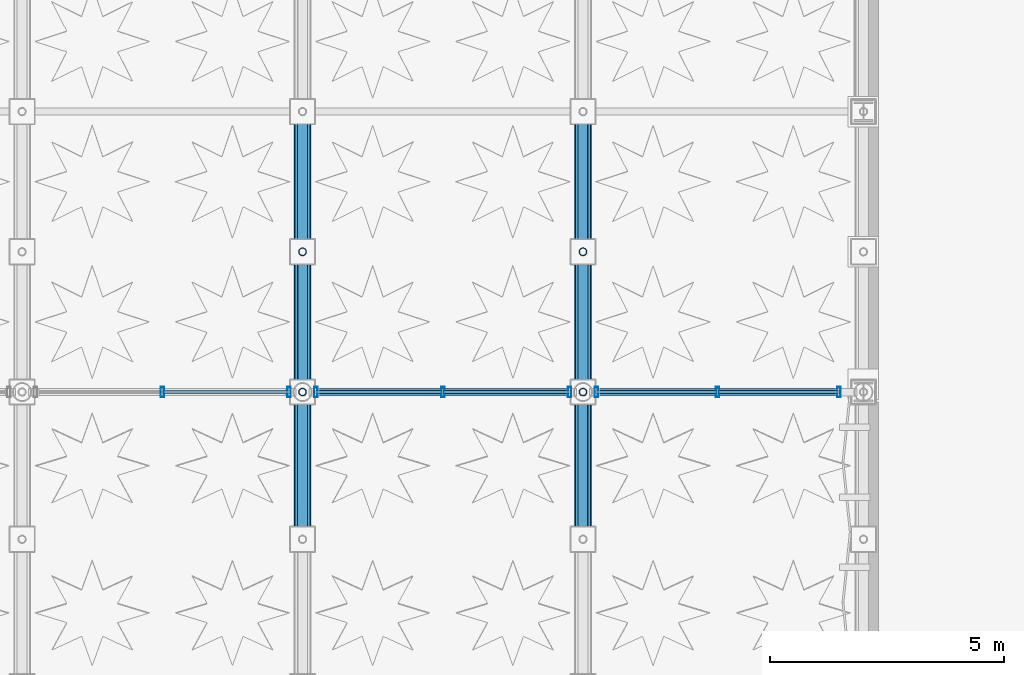
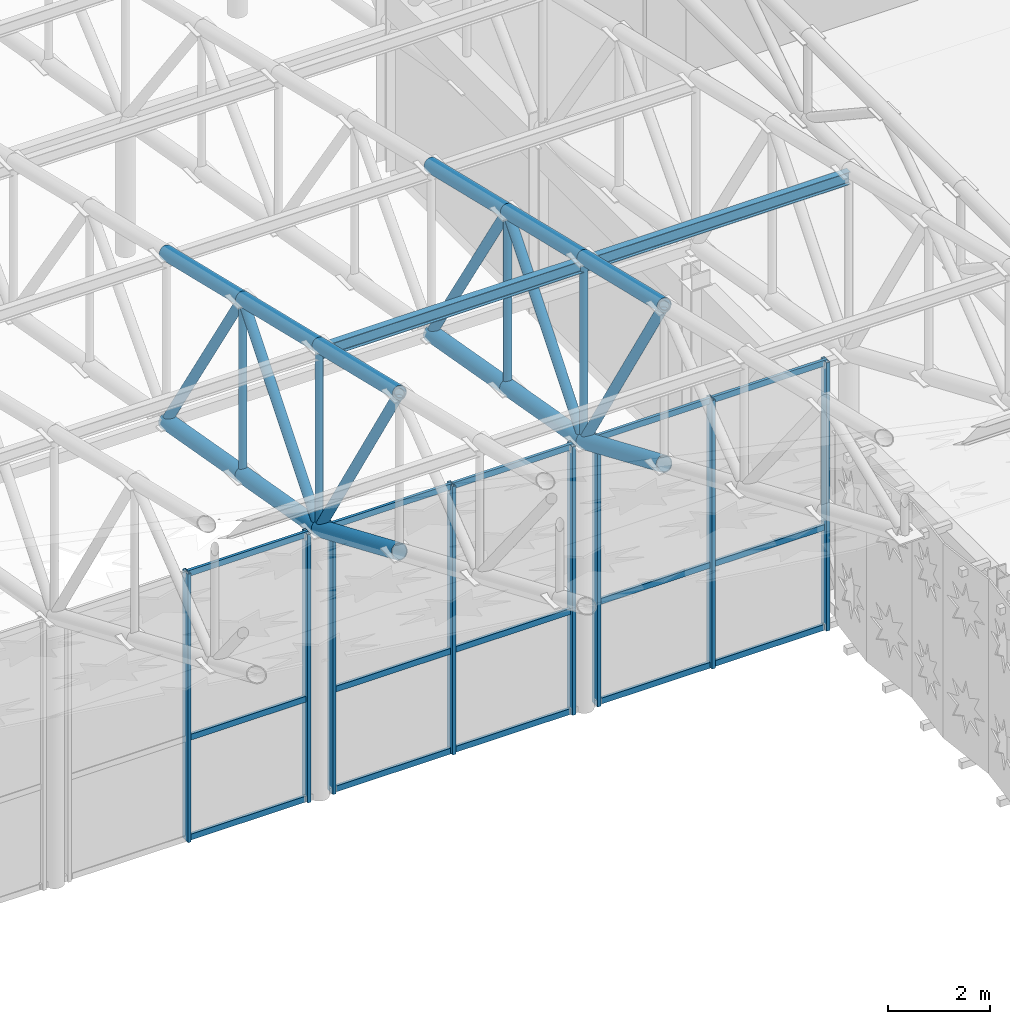
# One storey, part 20 of 123: 45 members, 2 beams, 3 elements without a shape of their own.
"""IFC4 building model written with IfcOpenShell, lengths in metres."""

from ifc_helpers import new_model, si_unit, direction, frame, origin, origin_2d, place, context, subcontext, project, spatial, hollow_rectangle, hollow_circle, i_section, extrude, material, material_profile, profile_set, type_object, element, aggregate, save


model = new_model("IFC4")

# Units and contexts
model_context = context("Model", 3, precision=1e-05, world=origin(), true_north=direction((0.0, 1.0)))
body_context = subcontext(model_context, "Body", "Model", "MODEL_VIEW")
ifc_project = project(units=[si_unit("LENGTHUNIT", "METRE"), si_unit("AREAUNIT", "SQUARE_METRE"), si_unit("VOLUMEUNIT", "CUBIC_METRE"), si_unit("PLANEANGLEUNIT", "RADIAN"), si_unit("MASSUNIT", "GRAM", prefix="KILO"), si_unit("THERMODYNAMICTEMPERATUREUNIT", "KELVIN"), si_unit("POWERUNIT", "WATT")], contexts=[model_context])

# Site, building, storey
site_placement = place(None, origin())
site = spatial("IfcSite", under=ifc_project, at=site_placement, CompositionType="ELEMENT")
building_placement = place(site_placement, origin())
building = spatial("IfcBuilding", under=site, at=building_placement, Name="Phaisarnlok Congress Hotel", CompositionType="ELEMENT")
storey_placement = place(building_placement, frame((0.0, 0.0, 15.0)))
storey = spatial("IfcBuildingStorey", under=building, at=storey_placement, Name="L03", CompositionType="ELEMENT", Elevation=15.0)

# Curtain wall, members
ifc_material_1 = material(Name="Thermally Broken Unitised Aluminium & Low-E Glazing", Category="aluminium")
curtain_wall_type_1 = type_object("IfcCurtainWallType", Name="CW-UNIT-45", PredefinedType="NOTDEFINED", material=ifc_material_1)
curtain_wall_1_placement = place(storey_placement, origin())
curtain_wall_1 = element("IfcCurtainWall", 1, at=curtain_wall_1_placement, inside=storey, type_object=curtain_wall_type_1, Name="Unitised curtain wall CW-45 (L03)", PredefinedType="NOTDEFINED")
ifc_material_2 = material(Name="Anodised Aluminium Alloy 6063-T6", Category="aluminium")
ifc_material_profile_1 = material_profile(ifc_material_2, hollow_rectangle(XDim=0.074951171875, YDim=0.219970703125, WallThickness=0.0048828125, at=origin_2d()), Name="ALU-M 75x220x5")
ifc_profile_set_1 = profile_set([ifc_material_profile_1], Name="Anodised Aluminium Alloy 6063-T6")
member_type_1 = type_object("IfcMemberType", Name="CWM-220", PredefinedType="MULLION", material=ifc_profile_set_1)
member_1_placement = place(storey_placement, frame((81.0, 18.0, -0.010009765625), z_axis=(0.0, 0.0, 1.0), x_axis=(1.0, 0.0, 0.0)))
member_1 = element("IfcMember", 2, at=member_1_placement, type_object=member_type_1, Name="Curtain wall mullion CWM-02", PredefinedType="MULLION", context=body_context, shape_type="SweptSolid", body=[
    extrude(hollow_rectangle(XDim=0.074951171875, YDim=0.219970703125, WallThickness=0.0048828125, at=origin_2d()), origin(), (0.0, 0.0, 1.0), 6.429931640625),
])
member_2_placement = place(storey_placement, frame((83.715087890625, 18.0, -0.010009765625), z_axis=(0.0, 0.0, 1.0), x_axis=(1.0, 0.0, 0.0)))
member_2 = element("IfcMember", 3, at=member_2_placement, type_object=member_type_1, Name="Curtain wall mullion CWM-02", PredefinedType="MULLION", context=body_context, shape_type="SweptSolid", body=[
    extrude(hollow_rectangle(XDim=0.074951171875, YDim=0.219970703125, WallThickness=0.0048828125, at=origin_2d()), origin(), (0.0, 0.0, 1.0), 6.429931640625),
])

curtain_wall_2_placement = place(storey_placement, origin())
curtain_wall_2 = element("IfcCurtainWall", 4, at=curtain_wall_2_placement, inside=storey, type_object=curtain_wall_type_1, Name="Unitised curtain wall CW-45 (L03)", PredefinedType="NOTDEFINED")
member_3_placement = place(storey_placement, frame((84.284912109375, 18.0, -0.010009765625), z_axis=(0.0, 0.0, 1.0), x_axis=(1.0, 0.0, 0.0)))
member_3 = element("IfcMember", 5, at=member_3_placement, type_object=member_type_1, Name="Curtain wall mullion CWM-02", PredefinedType="MULLION", context=body_context, shape_type="SweptSolid", body=[
    extrude(hollow_rectangle(XDim=0.074951171875, YDim=0.219970703125, WallThickness=0.0048828125, at=origin_2d()), origin(), (0.0, 0.0, 1.0), 6.429931640625),
])
member_4_placement = place(storey_placement, frame((87.0, 18.0, -0.010009765625), z_axis=(0.0, 0.0, 1.0), x_axis=(1.0, 0.0, 0.0)))
member_4 = element("IfcMember", 6, at=member_4_placement, type_object=member_type_1, Name="Curtain wall mullion CWM-02", PredefinedType="MULLION", context=body_context, shape_type="SweptSolid", body=[
    extrude(hollow_rectangle(XDim=0.074951171875, YDim=0.219970703125, WallThickness=0.0048828125, at=origin_2d()), origin(), (0.0, 0.0, 1.0), 6.429931640625),
])
member_5_placement = place(storey_placement, frame((89.715087890625, 18.0, -0.010009765625), z_axis=(0.0, 0.0, 1.0), x_axis=(1.0, 0.0, 0.0)))
member_5 = element("IfcMember", 7, at=member_5_placement, type_object=member_type_1, Name="Curtain wall mullion CWM-02", PredefinedType="MULLION", context=body_context, shape_type="SweptSolid", body=[
    extrude(hollow_rectangle(XDim=0.074951171875, YDim=0.219970703125, WallThickness=0.0048828125, at=origin_2d()), origin(), (0.0, 0.0, 1.0), 6.429931640625),
])

curtain_wall_type_2 = type_object("IfcCurtainWallType", Name="CW-UNIT-42", PredefinedType="NOTDEFINED", material=ifc_material_1)
curtain_wall_3_placement = place(storey_placement, origin())
curtain_wall_3 = element("IfcCurtainWall", 8, at=curtain_wall_3_placement, inside=storey, type_object=curtain_wall_type_2, Name="Unitised curtain wall CW-42 (L03)", PredefinedType="NOTDEFINED")
member_6_placement = place(storey_placement, frame((90.284912109375, 18.0, -0.010009765625), z_axis=(0.0, 0.0, 1.0), x_axis=(1.0, 0.0, 0.0)))
member_6 = element("IfcMember", 9, at=member_6_placement, type_object=member_type_1, Name="Curtain wall mullion CWM-02", PredefinedType="MULLION", context=body_context, shape_type="SweptSolid", body=[
    extrude(hollow_rectangle(XDim=0.074951171875, YDim=0.219970703125, WallThickness=0.0048828125, at=origin_2d()), origin(), (0.0, 0.0, 1.0), 6.429931640625),
])
member_7_placement = place(storey_placement, frame((92.8798828125, 18.0, -0.010009765625), z_axis=(0.0, 0.0, 1.0), x_axis=(1.0, 0.0, 0.0)))
member_7 = element("IfcMember", 10, at=member_7_placement, type_object=member_type_1, Name="Curtain wall mullion CWM-02", PredefinedType="MULLION", context=body_context, shape_type="SweptSolid", body=[
    extrude(hollow_rectangle(XDim=0.074951171875, YDim=0.219970703125, WallThickness=0.0048828125, at=origin_2d()), origin(), (0.0, 0.0, 1.0), 6.429931640625),
])
member_8_placement = place(storey_placement, frame((95.47509765625, 18.0, -0.010009765625), z_axis=(0.0, 0.0, 1.0), x_axis=(1.0, 0.0, 0.0)))
member_8 = element("IfcMember", 11, at=member_8_placement, type_object=member_type_1, Name="Curtain wall mullion CWM-02", PredefinedType="MULLION", context=body_context, shape_type="SweptSolid", body=[
    extrude(hollow_rectangle(XDim=0.074951171875, YDim=0.219970703125, WallThickness=0.0048828125, at=origin_2d()), origin(), (0.0, 0.0, 1.0), 6.429931640625),
])

# Member
ifc_material_profile_2 = material_profile(ifc_material_2, hollow_rectangle(XDim=0.06494140625, YDim=0.139892578125, WallThickness=0.00390625, at=origin_2d()), Name="ALU-T 65x140x4")
ifc_profile_set_2 = profile_set([ifc_material_profile_2], Name="Anodised Aluminium Alloy 6063-T6")
member_type_2 = type_object("IfcMemberType", Name="CWT-150", PredefinedType="USERDEFINED", material=ifc_profile_set_2)
member_9_placement = place(storey_placement, frame((81.014892578125, 18.0, 0.0400390625), z_axis=(1.0, 0.0, 0.0), x_axis=(0.0, 1.0, 0.0)))
member_9 = element("IfcMember", 12, at=member_9_placement, type_object=member_type_2, Name="Curtain wall transom CWT-01", ObjectType="TRANSOM", PredefinedType="USERDEFINED", context=body_context, shape_type="SweptSolid", body=[
    extrude(hollow_rectangle(XDim=0.06494140625, YDim=0.139892578125, WallThickness=0.00390625, at=origin_2d()), origin(), (0.0, 0.0, 1.0), 2.72509765625),
])

member_10_placement = place(storey_placement, frame((81.014892578125, 18.0, 2.433349609375), z_axis=(1.0, 0.0, 0.0), x_axis=(0.0, 1.0, 0.0)))
member_10 = element("IfcMember", 13, at=member_10_placement, type_object=member_type_2, Name="Curtain wall transom CWT-01", ObjectType="TRANSOM", PredefinedType="USERDEFINED", context=body_context, shape_type="SweptSolid", body=[
    extrude(hollow_rectangle(XDim=0.06494140625, YDim=0.139892578125, WallThickness=0.00390625, at=origin_2d()), origin(), (0.0, 0.0, 1.0), 2.72509765625),
])

member_11_placement = place(storey_placement, frame((81.014892578125, 18.0, 6.3701171875), z_axis=(1.0, 0.0, 0.0), x_axis=(0.0, 1.0, 0.0)))
member_11 = element("IfcMember", 14, at=member_11_placement, type_object=member_type_2, Name="Curtain wall transom CWT-01", ObjectType="TRANSOM", PredefinedType="USERDEFINED", context=body_context, shape_type="SweptSolid", body=[
    extrude(hollow_rectangle(XDim=0.06494140625, YDim=0.139892578125, WallThickness=0.00390625, at=origin_2d()), origin(), (0.0, 0.0, 1.0), 2.72509765625),
])

aggregate(curtain_wall_1, [member_1, member_2, member_9, member_10, member_11])

member_12_placement = place(storey_placement, frame((84.260009765625, 18.0, 0.0400390625), z_axis=(1.0, 0.0, 0.0), x_axis=(0.0, 1.0, 0.0)))
member_12 = element("IfcMember", 15, at=member_12_placement, type_object=member_type_2, Name="Curtain wall transom CWT-01", ObjectType="TRANSOM", PredefinedType="USERDEFINED", context=body_context, shape_type="SweptSolid", body=[
    extrude(hollow_rectangle(XDim=0.06494140625, YDim=0.139892578125, WallThickness=0.00390625, at=origin_2d()), origin(), (0.0, 0.0, 1.0), 2.72509765625),
])

member_13_placement = place(storey_placement, frame((84.260009765625, 18.0, 2.433349609375), z_axis=(1.0, 0.0, 0.0), x_axis=(0.0, 1.0, 0.0)))
member_13 = element("IfcMember", 16, at=member_13_placement, type_object=member_type_2, Name="Curtain wall transom CWT-01", ObjectType="TRANSOM", PredefinedType="USERDEFINED", context=body_context, shape_type="SweptSolid", body=[
    extrude(hollow_rectangle(XDim=0.06494140625, YDim=0.139892578125, WallThickness=0.00390625, at=origin_2d()), origin(), (0.0, 0.0, 1.0), 2.72509765625),
])

member_14_placement = place(storey_placement, frame((84.260009765625, 18.0, 6.3701171875), z_axis=(1.0, 0.0, 0.0), x_axis=(0.0, 1.0, 0.0)))
member_14 = element("IfcMember", 17, at=member_14_placement, type_object=member_type_2, Name="Curtain wall transom CWT-01", ObjectType="TRANSOM", PredefinedType="USERDEFINED", context=body_context, shape_type="SweptSolid", body=[
    extrude(hollow_rectangle(XDim=0.06494140625, YDim=0.139892578125, WallThickness=0.00390625, at=origin_2d()), origin(), (0.0, 0.0, 1.0), 2.72509765625),
])

member_15_placement = place(storey_placement, frame((87.014892578125, 18.0, 0.0400390625), z_axis=(1.0, 0.0, 0.0), x_axis=(0.0, 1.0, 0.0)))
member_15 = element("IfcMember", 18, at=member_15_placement, type_object=member_type_2, Name="Curtain wall transom CWT-01", ObjectType="TRANSOM", PredefinedType="USERDEFINED", context=body_context, shape_type="SweptSolid", body=[
    extrude(hollow_rectangle(XDim=0.06494140625, YDim=0.139892578125, WallThickness=0.00390625, at=origin_2d()), origin(), (0.0, 0.0, 1.0), 2.72509765625),
])

member_16_placement = place(storey_placement, frame((87.014892578125, 18.0, 2.433349609375), z_axis=(1.0, 0.0, 0.0), x_axis=(0.0, 1.0, 0.0)))
member_16 = element("IfcMember", 19, at=member_16_placement, type_object=member_type_2, Name="Curtain wall transom CWT-01", ObjectType="TRANSOM", PredefinedType="USERDEFINED", context=body_context, shape_type="SweptSolid", body=[
    extrude(hollow_rectangle(XDim=0.06494140625, YDim=0.139892578125, WallThickness=0.00390625, at=origin_2d()), origin(), (0.0, 0.0, 1.0), 2.72509765625),
])

member_17_placement = place(storey_placement, frame((87.014892578125, 18.0, 6.3701171875), z_axis=(1.0, 0.0, 0.0), x_axis=(0.0, 1.0, 0.0)))
member_17 = element("IfcMember", 20, at=member_17_placement, type_object=member_type_2, Name="Curtain wall transom CWT-01", ObjectType="TRANSOM", PredefinedType="USERDEFINED", context=body_context, shape_type="SweptSolid", body=[
    extrude(hollow_rectangle(XDim=0.06494140625, YDim=0.139892578125, WallThickness=0.00390625, at=origin_2d()), origin(), (0.0, 0.0, 1.0), 2.72509765625),
])

aggregate(curtain_wall_2, [member_3, member_4, member_5, member_12, member_13, member_14, member_15, member_16, member_17])

member_18_placement = place(storey_placement, frame((90.260009765625, 18.0, 0.0400390625), z_axis=(1.0, 0.0, 0.0), x_axis=(0.0, 1.0, 0.0)))
member_18 = element("IfcMember", 21, at=member_18_placement, type_object=member_type_2, Name="Curtain wall transom CWT-01", ObjectType="TRANSOM", PredefinedType="USERDEFINED", context=body_context, shape_type="SweptSolid", body=[
    extrude(hollow_rectangle(XDim=0.06494140625, YDim=0.139892578125, WallThickness=0.00390625, at=origin_2d()), origin(), (0.0, 0.0, 1.0), 2.60498046875),
])

member_19_placement = place(storey_placement, frame((90.260009765625, 18.0, 2.433349609375), z_axis=(1.0, 0.0, 0.0), x_axis=(0.0, 1.0, 0.0)))
member_19 = element("IfcMember", 22, at=member_19_placement, type_object=member_type_2, Name="Curtain wall transom CWT-01", ObjectType="TRANSOM", PredefinedType="USERDEFINED", context=body_context, shape_type="SweptSolid", body=[
    extrude(hollow_rectangle(XDim=0.06494140625, YDim=0.139892578125, WallThickness=0.00390625, at=origin_2d()), origin(), (0.0, 0.0, 1.0), 2.60498046875),
])

member_20_placement = place(storey_placement, frame((90.260009765625, 18.0, 6.3701171875), z_axis=(1.0, 0.0, 0.0), x_axis=(0.0, 1.0, 0.0)))
member_20 = element("IfcMember", 23, at=member_20_placement, type_object=member_type_2, Name="Curtain wall transom CWT-01", ObjectType="TRANSOM", PredefinedType="USERDEFINED", context=body_context, shape_type="SweptSolid", body=[
    extrude(hollow_rectangle(XDim=0.06494140625, YDim=0.139892578125, WallThickness=0.00390625, at=origin_2d()), origin(), (0.0, 0.0, 1.0), 2.60498046875),
])

member_21_placement = place(storey_placement, frame((92.89501953125, 18.0, 0.0400390625), z_axis=(1.0, 0.0, 0.0), x_axis=(0.0, 1.0, 0.0)))
member_21 = element("IfcMember", 24, at=member_21_placement, type_object=member_type_2, Name="Curtain wall transom CWT-01", ObjectType="TRANSOM", PredefinedType="USERDEFINED", context=body_context, shape_type="SweptSolid", body=[
    extrude(hollow_rectangle(XDim=0.06494140625, YDim=0.139892578125, WallThickness=0.00390625, at=origin_2d()), origin(), (0.0, 0.0, 1.0), 2.60498046875),
])

member_22_placement = place(storey_placement, frame((92.89501953125, 18.0, 2.433349609375), z_axis=(1.0, 0.0, 0.0), x_axis=(0.0, 1.0, 0.0)))
member_22 = element("IfcMember", 25, at=member_22_placement, type_object=member_type_2, Name="Curtain wall transom CWT-01", ObjectType="TRANSOM", PredefinedType="USERDEFINED", context=body_context, shape_type="SweptSolid", body=[
    extrude(hollow_rectangle(XDim=0.06494140625, YDim=0.139892578125, WallThickness=0.00390625, at=origin_2d()), origin(), (0.0, 0.0, 1.0), 2.60498046875),
])

member_23_placement = place(storey_placement, frame((92.89501953125, 18.0, 6.3701171875), z_axis=(1.0, 0.0, 0.0), x_axis=(0.0, 1.0, 0.0)))
member_23 = element("IfcMember", 26, at=member_23_placement, type_object=member_type_2, Name="Curtain wall transom CWT-01", ObjectType="TRANSOM", PredefinedType="USERDEFINED", context=body_context, shape_type="SweptSolid", body=[
    extrude(hollow_rectangle(XDim=0.06494140625, YDim=0.139892578125, WallThickness=0.00390625, at=origin_2d()), origin(), (0.0, 0.0, 1.0), 2.60498046875),
])

aggregate(curtain_wall_3, [member_6, member_7, member_8, member_18, member_19, member_20, member_21, member_22, member_23])

# Beams
ifc_material_3 = material(Name="Steel S355", Category="steel")
ifc_material_profile_3 = material_profile(ifc_material_3, i_section(OverallWidth=0.14990234375, OverallDepth=0.300048828125, WebThickness=0.007080078125, FlangeThickness=0.0107421875, FilletRadius=0.014892578125, at=origin_2d()), Name="IPE 300")
ifc_profile_set_3 = profile_set([ifc_material_profile_3], Name="Steel S355")
beam_type = type_object("IfcBeamType", Name="JS-STL-IPE300", PredefinedType="JOIST", material=ifc_profile_set_3)
for number, where, z_axis, x_axis, name in (
    (27, (84.0, 18.0, 10.630615234375), (1.0, 0.0, 0.0), (0.0, 1.0, 0.0), "South wing roof purlin"),
    (28, (90.0, 18.0, 10.630615234375), (1.0, 0.0, 0.0), (0.0, 1.0, 0.0), "South wing roof purlin"),
):
    element("IfcBeam", number, at=place(storey_placement, frame(where, z_axis=z_axis, x_axis=x_axis)), inside=storey, type_object=beam_type, Name=name, PredefinedType="JOIST", context=body_context, shape_type="SweptSolid", body=[
        extrude(i_section(OverallWidth=0.14990234375, OverallDepth=0.300048828125, WebThickness=0.007080078125, FlangeThickness=0.0107421875, FilletRadius=0.014892578125, at=origin_2d()), origin(), (0.0, 0.0, 1.0), 6.0),
    ])

# Members
ifc_material_profile_4 = material_profile(ifc_material_3, hollow_circle(Radius=0.084228515625, WallThickness=0.010009765625, at=origin_2d()), Name="CHS 168.3x10")
ifc_profile_set_4 = profile_set([ifc_material_profile_4], Name="Steel S355")
member_type_3 = type_object("IfcMemberType", Name="MEM-BRC-CHS168", PredefinedType="BRACE", material=ifc_profile_set_4)
member_24_placement = place(storey_placement, frame((84.0, 21.0, 5.86669921875), z_axis=(0.0, 0.0, 1.0), x_axis=(1.0, 0.0, 0.0)))
element("IfcMember", 29, at=member_24_placement, inside=storey, type_object=member_type_3, Name="South wing roof truss vertical web", PredefinedType="BRACE", context=body_context, shape_type="SweptSolid", body=[
    extrude(hollow_circle(Radius=0.084228515625, WallThickness=0.010009765625, at=origin_2d()), origin(), (0.0, 0.0, 1.0), 4.2099609375),
])
member_25_placement = place(storey_placement, frame((84.0, 18.0, 6.39990234375), z_axis=(0.0, 0.0, 1.0), x_axis=(1.0, 0.0, 0.0)))
element("IfcMember", 30, at=member_25_placement, inside=storey, type_object=member_type_3, Name="South wing roof truss vertical web", PredefinedType="BRACE", context=body_context, shape_type="SweptSolid", body=[
    extrude(hollow_circle(Radius=0.084228515625, WallThickness=0.010009765625, at=origin_2d()), origin(), (0.0, 0.0, 1.0), 4.392578125),
])
member_26_placement = place(storey_placement, frame((90.0, 21.0, 5.86669921875), z_axis=(0.0, 0.0, 1.0), x_axis=(1.0, 0.0, 0.0)))
element("IfcMember", 31, at=member_26_placement, inside=storey, type_object=member_type_3, Name="South wing roof truss vertical web", PredefinedType="BRACE", context=body_context, shape_type="SweptSolid", body=[
    extrude(hollow_circle(Radius=0.084228515625, WallThickness=0.010009765625, at=origin_2d()), origin(), (0.0, 0.0, 1.0), 4.2099609375),
])
member_27_placement = place(storey_placement, frame((90.0, 18.0, 6.39990234375), z_axis=(0.0, 0.0, 1.0), x_axis=(1.0, 0.0, 0.0)))
element("IfcMember", 32, at=member_27_placement, inside=storey, type_object=member_type_3, Name="South wing roof truss vertical web", PredefinedType="BRACE", context=body_context, shape_type="SweptSolid", body=[
    extrude(hollow_circle(Radius=0.084228515625, WallThickness=0.010009765625, at=origin_2d()), origin(), (0.0, 0.0, 1.0), 4.392578125),
])
ifc_material_profile_5 = material_profile(ifc_material_3, hollow_circle(Radius=0.109619140625, WallThickness=0.012451171875, at=origin_2d()), Name="CHS 219.1x12.5")
ifc_profile_set_5 = profile_set([ifc_material_profile_5], Name="Steel S355")
member_type_4 = type_object("IfcMemberType", Name="MEM-BRC-CHS219", PredefinedType="BRACE", material=ifc_profile_set_5)
member_28_placement = place(storey_placement, frame((84.0, 24.0, 5.333251953125), z_axis=(0.0, -0.534523150864, 0.845153832856), x_axis=(1.0, 0.0, 0.0)))
element("IfcMember", 33, at=member_28_placement, inside=storey, type_object=member_type_4, Name="South wing roof truss diagonal brace", PredefinedType="BRACE", context=body_context, shape_type="SweptSolid", body=[
    extrude(hollow_circle(Radius=0.109619140625, WallThickness=0.012451171875, at=origin_2d()), origin(), (0.0, 0.0, 1.0), 5.612548828125),
])
member_29_placement = place(storey_placement, frame((84.0, 18.0, 6.39990234375), z_axis=(0.0, 0.632195008814, 0.77480931256), x_axis=(-1.0, 0.0, 0.0)))
element("IfcMember", 34, at=member_29_placement, inside=storey, type_object=member_type_4, Name="South wing roof truss diagonal brace", PredefinedType="BRACE", context=body_context, shape_type="SweptSolid", body=[
    extrude(hollow_circle(Radius=0.109619140625, WallThickness=0.012451171875, at=origin_2d()), origin(), (0.0, 0.0, 1.0), 4.745361328125),
])
member_30_placement = place(storey_placement, frame((90.0, 24.0, 5.333251953125), z_axis=(0.0, -0.534523150864, 0.845153832856), x_axis=(1.0, 0.0, 0.0)))
element("IfcMember", 35, at=member_30_placement, inside=storey, type_object=member_type_4, Name="South wing roof truss diagonal brace", PredefinedType="BRACE", context=body_context, shape_type="SweptSolid", body=[
    extrude(hollow_circle(Radius=0.109619140625, WallThickness=0.012451171875, at=origin_2d()), origin(), (0.0, 0.0, 1.0), 5.612548828125),
])
member_31_placement = place(storey_placement, frame((90.0, 18.0, 6.39990234375), z_axis=(0.0, 0.632195008814, 0.77480931256), x_axis=(-1.0, 0.0, 0.0)))
element("IfcMember", 36, at=member_31_placement, inside=storey, type_object=member_type_4, Name="South wing roof truss diagonal brace", PredefinedType="BRACE", context=body_context, shape_type="SweptSolid", body=[
    extrude(hollow_circle(Radius=0.109619140625, WallThickness=0.012451171875, at=origin_2d()), origin(), (0.0, 0.0, 1.0), 4.745361328125),
])
ifc_material_profile_6 = material_profile(ifc_material_3, hollow_circle(Radius=0.109619140625, WallThickness=0.012451171875, at=origin_2d()), Name="CHS 219.1x12.5")
ifc_profile_set_6 = profile_set([ifc_material_profile_6], Name="Steel S355")
member_type_5 = type_object("IfcMemberType", Name="MEM-BRC-CHS219-EXT", PredefinedType="BRACE", material=ifc_profile_set_6)
for number, where, z_axis, x_axis, name in (
    (37, (84.0, 18.0, 6.39990234375), (0.0, -0.522176688857, 0.852837326584), (1.0, 0.0, 0.0), "South wing roof truss diagonal brace"),
    (38, (90.0, 18.0, 6.39990234375), (0.0, -0.522176688857, 0.852837326584), (1.0, 0.0, 0.0), "South wing roof truss diagonal brace"),
):
    element("IfcMember", number, at=place(storey_placement, frame(where, z_axis=z_axis, x_axis=x_axis)), inside=storey, type_object=member_type_5, Name=name, PredefinedType="BRACE", context=body_context, shape_type="SweptSolid", body=[
        extrude(hollow_circle(Radius=0.109619140625, WallThickness=0.012451171875, at=origin_2d()), origin(), (0.0, 0.0, 1.0), 6.0322265625),
    ])
ifc_material_profile_7 = material_profile(ifc_material_3, hollow_circle(Radius=0.161865234375, WallThickness=0.01611328125, at=origin_2d()), Name="CHS 323.9x16")
ifc_profile_set_7 = profile_set([ifc_material_profile_7], Name="Steel S355")
member_type_6 = type_object("IfcMemberType", Name="MEM-CHD-CHS324", PredefinedType="CHORD", material=ifc_profile_set_7)
for number, where, z_axis, x_axis, name in (
    (39, (84.0, 24.0, 9.360595703125), (0.0, -0.972676115692, 0.232166263617), (1.0, 0.0, 0.0), "South wing roof truss top chord"),
    (40, (84.0, 21.0, 10.07666015625), (0.0, -0.972693988482, 0.232091371601), (1.0, 0.0, 0.0), "South wing roof truss top chord"),
    (41, (90.0, 24.0, 9.360595703125), (0.0, -0.972676115692, 0.232166263617), (1.0, 0.0, 0.0), "South wing roof truss top chord"),
    (42, (90.0, 21.0, 10.07666015625), (0.0, -0.972693988482, 0.232091371601), (1.0, 0.0, 0.0), "South wing roof truss top chord"),
):
    element("IfcMember", number, at=place(storey_placement, frame(where, z_axis=z_axis, x_axis=x_axis)), inside=storey, type_object=member_type_6, Name=name, PredefinedType="CHORD", context=body_context, shape_type="SweptSolid", body=[
        extrude(hollow_circle(Radius=0.161865234375, WallThickness=0.01611328125, at=origin_2d()), origin(), (0.0, 0.0, 1.0), 3.084228515625),
    ])
ifc_material_profile_8 = material_profile(ifc_material_3, hollow_circle(Radius=0.161865234375, WallThickness=0.01611328125, at=origin_2d()), Name="CHS 323.9x16")
ifc_profile_set_8 = profile_set([ifc_material_profile_8], Name="Steel S355")
member_type_7 = type_object("IfcMemberType", Name="MEM-CHD-CHS324-EXT", PredefinedType="CHORD", material=ifc_profile_set_8)
for number, where, z_axis, x_axis, name in (
    (43, (84.0, 18.0, 10.79248046875), (0.0, -0.972668531165, 0.232198037203), (1.0, 0.0, 0.0), "South wing roof truss top chord"),
    (44, (90.0, 18.0, 10.79248046875), (0.0, -0.972668531165, 0.232198037203), (1.0, 0.0, 0.0), "South wing roof truss top chord"),
):
    element("IfcMember", number, at=place(storey_placement, frame(where, z_axis=z_axis, x_axis=x_axis)), inside=storey, type_object=member_type_7, Name=name, PredefinedType="CHORD", context=body_context, shape_type="SweptSolid", body=[
        extrude(hollow_circle(Radius=0.161865234375, WallThickness=0.01611328125, at=origin_2d()), origin(), (0.0, 0.0, 1.0), 3.238525390625),
    ])
ifc_material_profile_9 = material_profile(ifc_material_3, hollow_circle(Radius=0.177734375, WallThickness=0.02001953125, at=origin_2d()), Name="CHS 355.6x20")
ifc_profile_set_9 = profile_set([ifc_material_profile_9], Name="Steel S355")
member_type_8 = type_object("IfcMemberType", Name="MEM-CHD-CHS356", PredefinedType="CHORD", material=ifc_profile_set_9)
for number, where, z_axis, x_axis, name in (
    (45, (84.0, 24.0, 5.333251953125), (0.0, -0.984556063496, 0.175069579976), (1.0, 0.0, 0.0), "South wing roof truss bottom chord"),
    (46, (84.0, 21.0, 5.86669921875), (0.0, -0.984569871158, 0.174991910694), (1.0, 0.0, 0.0), "South wing roof truss bottom chord"),
    (47, (90.0, 24.0, 5.333251953125), (0.0, -0.984556063496, 0.175069579976), (1.0, 0.0, 0.0), "South wing roof truss bottom chord"),
    (48, (90.0, 21.0, 5.86669921875), (0.0, -0.984569871158, 0.174991910694), (1.0, 0.0, 0.0), "South wing roof truss bottom chord"),
):
    element("IfcMember", number, at=place(storey_placement, frame(where, z_axis=z_axis, x_axis=x_axis)), inside=storey, type_object=member_type_8, Name=name, PredefinedType="CHORD", context=body_context, shape_type="SweptSolid", body=[
        extrude(hollow_circle(Radius=0.177734375, WallThickness=0.02001953125, at=origin_2d()), origin(), (0.0, 0.0, 1.0), 3.047119140625),
    ])
ifc_material_profile_10 = material_profile(ifc_material_3, hollow_circle(Radius=0.177734375, WallThickness=0.02001953125, at=origin_2d()), Name="CHS 355.6x20")
ifc_profile_set_10 = profile_set([ifc_material_profile_10], Name="Steel S355")
member_type_9 = type_object("IfcMemberType", Name="MEM-CHD-CHS356-EXT", PredefinedType="CHORD", material=ifc_profile_set_10)
for number, where, z_axis, x_axis, name in (
    (49, (84.0, 18.0, 6.39990234375), (0.0, -0.919130290196, 0.393953689721), (1.0, 0.0, 0.0), "South wing roof truss bottom chord"),
    (50, (90.0, 18.0, 6.39990234375), (0.0, -0.919130290196, 0.393953689721), (1.0, 0.0, 0.0), "South wing roof truss bottom chord"),
):
    element("IfcMember", number, at=place(storey_placement, frame(where, z_axis=z_axis, x_axis=x_axis)), inside=storey, type_object=member_type_9, Name=name, PredefinedType="CHORD", context=body_context, shape_type="SweptSolid", body=[
        extrude(hollow_circle(Radius=0.177734375, WallThickness=0.02001953125, at=origin_2d()), origin(), (0.0, 0.0, 1.0), 3.427001953125),
    ])

save(model, "model.ifc")
